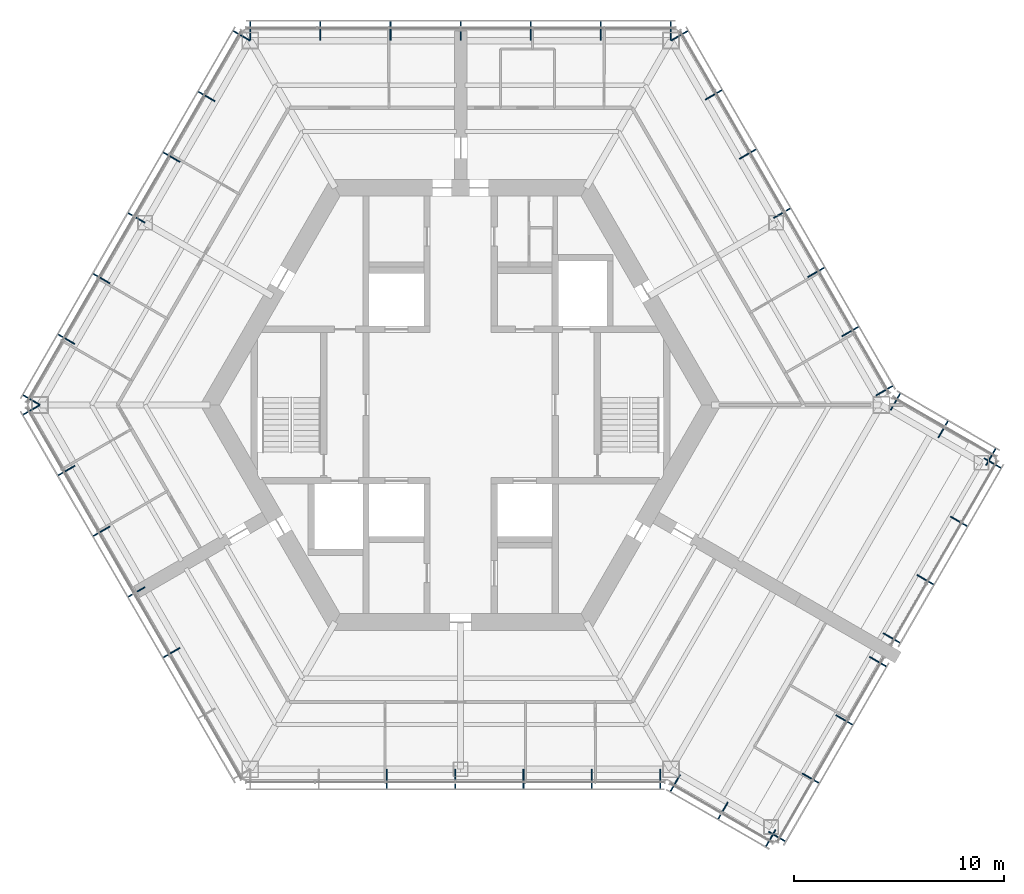
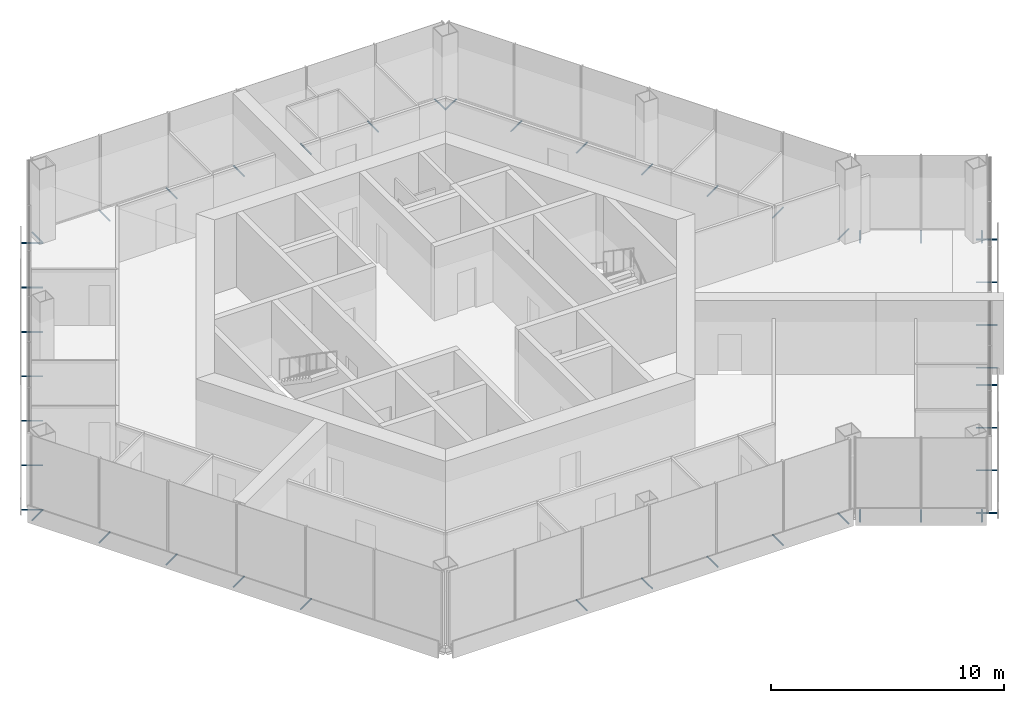
# One storey, part 11 of 13: 45 discrete accessories.
"""IFC4 building model written with IfcOpenShell, lengths in metres."""

from ifc_helpers import new_model, si_unit, direction, frame, origin, origin_2d, place, context, subcontext, project, spatial, hollow_circle, extrude, material, material_profile, profile_set, type_object, element, save


model = new_model("IFC4")

# Units and contexts
model_context = context("Model", 3, precision=1e-05, world=origin(), true_north=direction((0.0, 1.0)))
body_context = subcontext(model_context, "Body", "Model", "MODEL_VIEW")
ifc_project = project(units=[si_unit("LENGTHUNIT", "METRE"), si_unit("AREAUNIT", "SQUARE_METRE"), si_unit("VOLUMEUNIT", "CUBIC_METRE"), si_unit("PLANEANGLEUNIT", "RADIAN"), si_unit("MASSUNIT", "GRAM", prefix="KILO")], contexts=[model_context])

# Site, building, storey
site_placement = place(None, origin())
site = spatial("IfcSite", under=ifc_project, at=site_placement, CompositionType="ELEMENT")
building_placement = place(site_placement, origin())
building = spatial("IfcBuilding", under=site, at=building_placement, Name="Kasaneha Research Tower", CompositionType="ELEMENT")
storey_placement = place(building_placement, frame((0.0, 0.0, 286.89990234375)))
storey = spatial("IfcBuildingStorey", under=building, at=storey_placement, Name="L72", CompositionType="ELEMENT", Elevation=286.89990234375)

# Discrete accessories
ifc_material = material(Name="Steel STK400", Category="steel")
ifc_material_profile = material_profile(ifc_material, hollow_circle(Radius=0.0380859375, WallThickness=0.00390625, at=origin_2d()), Name="CHS-76.3x4.0")
ifc_profile_set = profile_set([ifc_material_profile], Name="Steel STK400")
discrete_accessory_type = type_object("IfcDiscreteAccessoryType", Name="Screen bracket CHS-76.3x4.0", PredefinedType="BRACKET", material=ifc_profile_set)
for number, where, z_axis, x_axis, name in (
    (1, (19.74462890625, 0.4423828125, -0.2998046875), (0.866013213425, 0.500021113727, 0.0), (-0.500021113727, 0.866013213425, 0.0), "Screen bracket 1"),
    (2, (18.120849609375, 3.2548828125, -0.2998046875), (0.866013213425, 0.500021113727, 0.0), (-0.500021113727, 0.866013213425, 0.0), "Screen bracket 2"),
    (3, (16.4970703125, 6.0673828125, -0.2998046875), (0.866013213425, 0.500021113727, 0.0), (-0.500021113727, 0.866013213425, 0.0), "Screen bracket 3"),
    (4, (14.873291015625, 8.8798828125, -0.2998046875), (0.866013213425, 0.500021113727, 0.0), (-0.500021113727, 0.866013213425, 0.0), "Screen bracket 4"),
    (5, (13.24951171875, 11.6923828125, -0.2998046875), (0.866013213425, 0.500021113727, 0.0), (-0.500021113727, 0.866013213425, 0.0), "Screen bracket 5"),
):
    element("IfcDiscreteAccessory", number, at=place(storey_placement, frame(where, z_axis=z_axis, x_axis=x_axis)), inside=storey, type_object=discrete_accessory_type, Name=name, PredefinedType="BRACKET", context=body_context, shape_type="SweptSolid", body=[
        extrude(hollow_circle(Radius=0.0380859375, WallThickness=0.00390625, at=origin_2d()), origin(), (0.0, 0.0, 1.0), 0.919921875),
    ])
for number, where, z_axis, x_axis, name in (
    (6, (11.62548828125, 14.5048828125, -0.2998046875), (0.866079547155, 0.499906209203, 0.0), (-0.499906209203, 0.866079547155, 0.0), "Screen bracket 6"),
    (7, (10.001708984375, 17.3173828125, -0.2998046875), (0.866079547155, 0.499906209203, 0.0), (-0.499906209203, 0.866079547155, 0.0), "Screen bracket 7"),
):
    element("IfcDiscreteAccessory", number, at=place(storey_placement, frame(where, z_axis=z_axis, x_axis=x_axis)), inside=storey, type_object=discrete_accessory_type, Name=name, PredefinedType="BRACKET", context=body_context, shape_type="SweptSolid", body=[
        extrude(hollow_circle(Radius=0.0380859375, WallThickness=0.00390625, at=origin_2d()), origin(), (0.0, 0.0, 1.0), 0.920166015625),
    ])
for number, where, z_axis, x_axis, name in (
    (8, (9.996337890625, 17.320556640625, -0.2998046875), (0.0, 1.0, 0.0), (-1.0, 0.0, 0.0), "Screen bracket 1"),
    (9, (6.664306640625, 17.320556640625, -0.2998046875), (0.0, 1.0, 0.0), (-1.0, 0.0, 0.0), "Screen bracket 2"),
    (10, (3.33203125, 17.320556640625, -0.2998046875), (0.0, 1.0, 0.0), (-1.0, 0.0, 0.0), "Screen bracket 3"),
    (11, (0.0, 17.320556640625, -0.2998046875), (0.0, 1.0, 0.0), (-1.0, 0.0, 0.0), "Screen bracket 4"),
    (12, (-3.33203125, 17.320556640625, -0.2998046875), (0.0, 1.0, 0.0), (-1.0, 0.0, 0.0), "Screen bracket 5"),
    (13, (-6.664306640625, 17.320556640625, -0.2998046875), (0.0, 1.0, 0.0), (-1.0, 0.0, 0.0), "Screen bracket 6"),
    (14, (-9.996337890625, 17.320556640625, -0.2998046875), (0.0, 1.0, 0.0), (-1.0, 0.0, 0.0), "Screen bracket 7"),
):
    element("IfcDiscreteAccessory", number, at=place(storey_placement, frame(where, z_axis=z_axis, x_axis=x_axis)), inside=storey, type_object=discrete_accessory_type, Name=name, PredefinedType="BRACKET", context=body_context, shape_type="SweptSolid", body=[
        extrude(hollow_circle(Radius=0.0380859375, WallThickness=0.00390625, at=origin_2d()), origin(), (0.0, 0.0, 1.0), 0.919921875),
    ])
discrete_accessory_1_placement = place(storey_placement, frame((-10.001708984375, 17.3173828125, -0.2998046875), z_axis=(-0.866079547155, 0.499906209203, 0.0), x_axis=(-0.499906209203, -0.866079547155, 0.0)))
element("IfcDiscreteAccessory", 15, at=discrete_accessory_1_placement, inside=storey, type_object=discrete_accessory_type, Name="Screen bracket 1", PredefinedType="BRACKET", context=body_context, shape_type="SweptSolid", body=[
    extrude(hollow_circle(Radius=0.0380859375, WallThickness=0.00390625, at=origin_2d()), origin(), (0.0, 0.0, 1.0), 0.920166015625),
])
for number, where, z_axis, x_axis, name in (
    (16, (-11.66796875, 14.431640625, -0.2998046875), (-0.866013213425, 0.500021113727, 0.0), (-0.500021113727, -0.866013213425, 0.0), "Screen bracket 2"),
    (17, (-13.333984375, 11.5458984375, -0.2998046875), (-0.866013213425, 0.500021113727, 0.0), (-0.500021113727, -0.866013213425, 0.0), "Screen bracket 3"),
    (18, (-15.0, 8.66015625, -0.2998046875), (-0.865898279276, 0.500220121494, 0.0), (-0.500220121494, -0.865898279276, 0.0), "Screen bracket 4"),
):
    element("IfcDiscreteAccessory", number, at=place(storey_placement, frame(where, z_axis=z_axis, x_axis=x_axis)), inside=storey, type_object=discrete_accessory_type, Name=name, PredefinedType="BRACKET", context=body_context, shape_type="SweptSolid", body=[
        extrude(hollow_circle(Radius=0.0380859375, WallThickness=0.00390625, at=origin_2d()), origin(), (0.0, 0.0, 1.0), 0.919921875),
    ])
for number, where, z_axis, x_axis, name in (
    (19, (-16.666015625, 5.774658203125, -0.2998046875), (-0.866079547155, 0.499906209203, 0.0), (-0.499906209203, -0.866079547155, 0.0), "Screen bracket 5"),
    (20, (-18.33203125, 2.888916015625, -0.2998046875), (-0.866079547155, 0.499906209203, 0.0), (-0.499906209203, -0.866079547155, 0.0), "Screen bracket 6"),
):
    element("IfcDiscreteAccessory", number, at=place(storey_placement, frame(where, z_axis=z_axis, x_axis=x_axis)), inside=storey, type_object=discrete_accessory_type, Name=name, PredefinedType="BRACKET", context=body_context, shape_type="SweptSolid", body=[
        extrude(hollow_circle(Radius=0.0380859375, WallThickness=0.00390625, at=origin_2d()), origin(), (0.0, 0.0, 1.0), 0.920166015625),
    ])
for number, where, z_axis, x_axis, name in (
    (21, (-19.998291015625, 0.003173828125, -0.2998046875), (-0.866013213425, 0.500021113727, 0.0), (-0.500021113727, -0.866013213425, 0.0), "Screen bracket 7"),
    (22, (-19.998291015625, -0.003173828125, -0.2998046875), (-0.866013213425, -0.500021113727, 0.0), (0.500021113727, -0.866013213425, 0.0), "Screen bracket 1"),
):
    element("IfcDiscreteAccessory", number, at=place(storey_placement, frame(where, z_axis=z_axis, x_axis=x_axis)), inside=storey, type_object=discrete_accessory_type, Name=name, PredefinedType="BRACKET", context=body_context, shape_type="SweptSolid", body=[
        extrude(hollow_circle(Radius=0.0380859375, WallThickness=0.00390625, at=origin_2d()), origin(), (0.0, 0.0, 1.0), 0.919921875),
    ])
for number, where, z_axis, x_axis, name in (
    (23, (-18.33203125, -2.888916015625, -0.2998046875), (-0.866079547155, -0.499906209203, 0.0), (0.499906209203, -0.866079547155, 0.0), "Screen bracket 2"),
    (24, (-16.666015625, -5.774658203125, -0.2998046875), (-0.866079547155, -0.499906209203, 0.0), (0.499906209203, -0.866079547155, 0.0), "Screen bracket 3"),
):
    element("IfcDiscreteAccessory", number, at=place(storey_placement, frame(where, z_axis=z_axis, x_axis=x_axis)), inside=storey, type_object=discrete_accessory_type, Name=name, PredefinedType="BRACKET", context=body_context, shape_type="SweptSolid", body=[
        extrude(hollow_circle(Radius=0.0380859375, WallThickness=0.00390625, at=origin_2d()), origin(), (0.0, 0.0, 1.0), 0.920166015625),
    ])
for number, where, z_axis, x_axis, name in (
    (25, (-15.0, -8.66015625, -0.2998046875), (-0.865898279276, -0.500220121494, 0.0), (0.500220121494, -0.865898279276, 0.0), "Screen bracket 4"),
    (26, (-13.333984375, -11.5458984375, -0.2998046875), (-0.866013213425, -0.500021113727, 0.0), (0.500021113727, -0.866013213425, 0.0), "Screen bracket 5"),
    (27, (-3.501220703125, -17.320556640625, -0.2998046875), (0.0, -1.0, 0.0), (1.0, 0.0, 0.0), "Screen bracket 3"),
    (28, (-0.253662109375, -17.320556640625, -0.2998046875), (0.0, -1.0, 0.0), (1.0, 0.0, 0.0), "Screen bracket 4"),
    (29, (2.993896484375, -17.320556640625, -0.2998046875), (0.0, -1.0, 0.0), (1.0, 0.0, 0.0), "Screen bracket 5"),
    (30, (6.24169921875, -17.320556640625, -0.2998046875), (0.0, -1.0, 0.0), (1.0, 0.0, 0.0), "Screen bracket 6"),
    (31, (9.4892578125, -17.320556640625, -0.2998046875), (0.0, -1.0, 0.0), (1.0, 0.0, 0.0), "Screen bracket 7"),
    (32, (10.4423828125, -17.575927734375, -0.2998046875), (-0.500021113727, -0.866013213425, 0.0), (0.866013213425, -0.500021113727, 0.0), "Screen bracket 1"),
    (33, (12.7109375, -18.8857421875, -0.2998046875), (-0.500021113727, -0.866013213425, 0.0), (0.866013213425, -0.500021113727, 0.0), "Screen bracket 2"),
    (34, (14.979736328125, -20.195556640625, -0.2998046875), (-0.500220121494, -0.865898279276, 0.0), (0.865898279276, -0.500220121494, 0.0), "Screen bracket 3"),
    (35, (14.63818359375, -20.287109375, -0.2998046875), (0.866013213425, -0.500021113727, 0.0), (0.500021113727, 0.866013213425, 0.0), "Screen bracket 1"),
):
    element("IfcDiscreteAccessory", number, at=place(storey_placement, frame(where, z_axis=z_axis, x_axis=x_axis)), inside=storey, type_object=discrete_accessory_type, Name=name, PredefinedType="BRACKET", context=body_context, shape_type="SweptSolid", body=[
        extrude(hollow_circle(Radius=0.0380859375, WallThickness=0.00390625, at=origin_2d()), origin(), (0.0, 0.0, 1.0), 0.919921875),
    ])
discrete_accessory_2_placement = place(storey_placement, frame((16.238037109375, -17.515625, -0.2998046875), z_axis=(0.865964657013, -0.500105201737, 0.0), x_axis=(0.500105201737, 0.865964657013, 0.0)))
element("IfcDiscreteAccessory", 36, at=discrete_accessory_2_placement, inside=storey, type_object=discrete_accessory_type, Name="Screen bracket 2", PredefinedType="BRACKET", context=body_context, shape_type="SweptSolid", body=[
    extrude(hollow_circle(Radius=0.0380859375, WallThickness=0.00390625, at=origin_2d()), origin(), (0.0, 0.0, 1.0), 0.920166015625),
])
for number, where, z_axis, x_axis, name in (
    (37, (17.838134765625, -14.744384765625, -0.2998046875), (0.866013213425, -0.500021113727, 0.0), (0.500021113727, 0.866013213425, 0.0), "Screen bracket 3"),
    (38, (19.438232421875, -11.97314453125, -0.2998046875), (0.866013213425, -0.500021113727, 0.0), (0.500021113727, 0.866013213425, 0.0), "Screen bracket 4"),
    (39, (20.088134765625, -10.847412109375, -0.2998046875), (0.866013213425, -0.500021113727, 0.0), (0.500021113727, 0.866013213425, 0.0), "Screen bracket 1"),
    (40, (21.688232421875, -8.076171875, -0.2998046875), (0.866013213425, -0.500021113727, 0.0), (0.500021113727, 0.866013213425, 0.0), "Screen bracket 2"),
):
    element("IfcDiscreteAccessory", number, at=place(storey_placement, frame(where, z_axis=z_axis, x_axis=x_axis)), inside=storey, type_object=discrete_accessory_type, Name=name, PredefinedType="BRACKET", context=body_context, shape_type="SweptSolid", body=[
        extrude(hollow_circle(Radius=0.0380859375, WallThickness=0.00390625, at=origin_2d()), origin(), (0.0, 0.0, 1.0), 0.919921875),
    ])
discrete_accessory_3_placement = place(storey_placement, frame((23.2880859375, -5.3046875, -0.2998046875), z_axis=(0.865964657013, -0.500105201737, 0.0), x_axis=(0.500105201737, 0.865964657013, 0.0)))
element("IfcDiscreteAccessory", 41, at=discrete_accessory_3_placement, inside=storey, type_object=discrete_accessory_type, Name="Screen bracket 3", PredefinedType="BRACKET", context=body_context, shape_type="SweptSolid", body=[
    extrude(hollow_circle(Radius=0.0380859375, WallThickness=0.00390625, at=origin_2d()), origin(), (0.0, 0.0, 1.0), 0.920166015625),
])
for number, where, z_axis, x_axis, name in (
    (42, (24.88818359375, -2.533447265625, -0.2998046875), (0.866013213425, -0.500021113727, 0.0), (0.500021113727, 0.866013213425, 0.0), "Screen bracket 4"),
    (43, (24.979736328125, -2.875, -0.2998046875), (0.500021113727, 0.866013213425, 0.0), (-0.866013213425, 0.500021113727, 0.0), "Screen bracket 1"),
    (44, (22.7109375, -1.565185546875, -0.2998046875), (0.500021113727, 0.866013213425, 0.0), (-0.866013213425, 0.500021113727, 0.0), "Screen bracket 2"),
    (45, (20.4423828125, -0.25537109375, -0.2998046875), (0.500021113727, 0.866013213425, 0.0), (-0.866013213425, 0.500021113727, 0.0), "Screen bracket 3"),
):
    element("IfcDiscreteAccessory", number, at=place(storey_placement, frame(where, z_axis=z_axis, x_axis=x_axis)), inside=storey, type_object=discrete_accessory_type, Name=name, PredefinedType="BRACKET", context=body_context, shape_type="SweptSolid", body=[
        extrude(hollow_circle(Radius=0.0380859375, WallThickness=0.00390625, at=origin_2d()), origin(), (0.0, 0.0, 1.0), 0.919921875),
    ])

save(model, "model.ifc")
